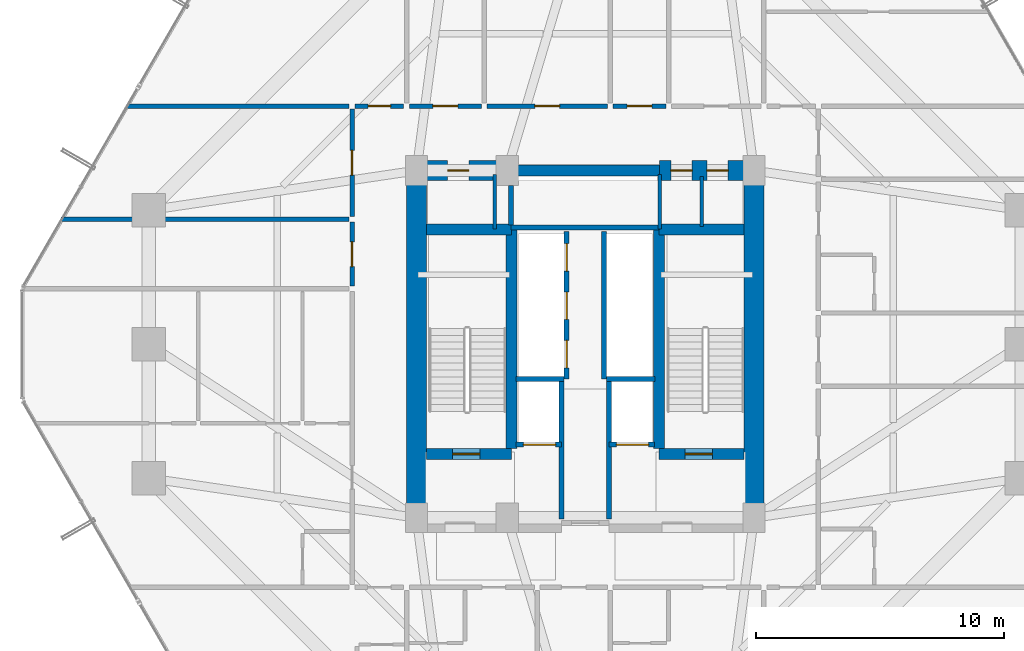
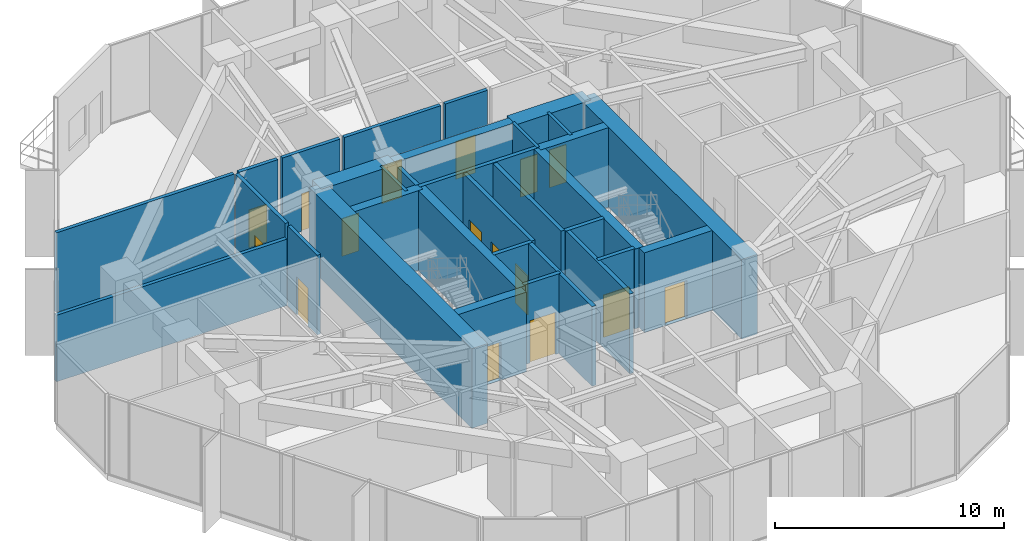
# One storey, part 34 of 39: 32 walls, 16 doors, 16 openings.
"""IFC4 building model written with IfcOpenShell, lengths in metres."""

import ifcopenshell
import ifcopenshell.guid

model = None  # the IFC model being written
_history = None  # IfcOwnerHistory: only IFC2X3 demands one
_inside = {}  # id of a spatial element -> (the spatial element, [elements in it])
_under = {}  # id of a project, library or spatial element -> (it, [spatial elements below it])
_declared = {}  # id of a project -> (the project, [libraries it declares])
_typed = {}  # id of a type object -> (the type object, [elements of that type])
_made_of = {}  # id of a material, layer set ... -> (it, [elements and type objects made of it])


def new_model(schema):
    """Start an empty IFC model of exactly this schema.

    Asked for "IFC4X3", IfcOpenShell would pick the latest addendum, in which some entities
    have other attributes; the version numbers below select the first issue.
    IFC2X3 requires an IfcOwnerHistory on every rooted entity: one is made here for all.
    """
    global model, _history
    if schema == "IFC4X3":
        model = ifcopenshell.file(schema_version=(4, 3, 0, 0))
    else:
        model = ifcopenshell.file(schema=schema)
    _inside.clear()
    _under.clear()
    _declared.clear()
    _typed.clear()
    _made_of.clear()
    _history = None
    if model.schema == "IFC2X3":
        org = make("IfcOrganization", Name="unknown")
        user = make(
            "IfcPersonAndOrganization",
            ThePerson=make("IfcPerson", FamilyName="unknown"),
            TheOrganization=org,
        )
        app = make(
            "IfcApplication",
            ApplicationDeveloper=org,
            Version="unknown",
            ApplicationFullName="unknown",
            ApplicationIdentifier="unknown",
        )
        _history = make(
            "IfcOwnerHistory",
            OwningUser=user,
            OwningApplication=app,
            ChangeAction="ADDED",
            CreationDate=0,
        )
    return model


def make(cls, **values):
    """One entity of the class cls with the attributes given. An attribute that is None is left unset."""
    return model.create_entity(
        cls, **{name: value for name, value in values.items() if value is not None}
    )


def rooted(cls, **values):
    """An entity with a GlobalId (a new one), such as an element, a storey or a relation."""
    return make(cls, GlobalId=ifcopenshell.guid.new(), OwnerHistory=_history, **values)


def si_unit(unit_type, name, prefix=None):
    """IfcSIUnit, for example si_unit("LENGTHUNIT", "METRE", prefix="MILLI")."""
    return make("IfcSIUnit", UnitType=unit_type, Prefix=prefix, Name=name)


def assignment(units):
    """IfcUnitAssignment: the units of a project."""
    return None if units is None else make("IfcUnitAssignment", Units=units)


def point(xyz):
    """IfcCartesianPoint."""
    return None if xyz is None else make("IfcCartesianPoint", Coordinates=xyz)


def direction(xyz):
    """IfcDirection."""
    return None if xyz is None else make("IfcDirection", DirectionRatios=xyz)


def frame(location, z_axis=None, x_axis=None):
    """IfcAxis2Placement3D, a coordinate frame: its origin and axes. An axis left out is left unset."""
    return make(
        "IfcAxis2Placement3D",
        Location=point(location),
        Axis=direction(z_axis),
        RefDirection=direction(x_axis),
    )


def frame_2d(location, x_axis=None):
    """IfcAxis2Placement2D, a coordinate frame in the plane: its origin and x axis."""
    return make(
        "IfcAxis2Placement2D", Location=point(location), RefDirection=direction(x_axis)
    )


def origin():
    """The frame at (0, 0, 0) with its axes left unset."""
    return frame((0.0, 0.0, 0.0))


def place(relative_to, where):
    """IfcLocalPlacement: puts the frame where relative to a parent placement (None: the world)."""
    return make(
        "IfcLocalPlacement", PlacementRelTo=relative_to, RelativePlacement=where
    )


def context(
    kind, dimensions, precision=None, world=None, true_north=None, identifier=None
):
    """IfcGeometricRepresentationContext, for example the 3D "Model" context."""
    return make(
        "IfcGeometricRepresentationContext",
        ContextIdentifier=identifier,
        ContextType=kind,
        CoordinateSpaceDimension=dimensions,
        Precision=precision,
        WorldCoordinateSystem=world,
        TrueNorth=true_north,
    )


def subcontext(parent, identifier, kind, view, scale=None):
    """IfcGeometricRepresentationSubContext, for example "Body" below "Model"."""
    return make(
        "IfcGeometricRepresentationSubContext",
        ContextIdentifier=identifier,
        ContextType=kind,
        ParentContext=parent,
        TargetScale=scale,
        TargetView=view,
    )


def project(units=None, contexts=None):
    """IfcProject with its units and contexts."""
    return rooted(
        "IfcProject",
        Name="project",
        RepresentationContexts=contexts,
        UnitsInContext=assignment(units),
    )


def spatial(cls, under=None, at=None, **own):
    """A site, building, storey or space (cls), placed at a placement, below another one or the project."""
    s = rooted(cls, ObjectPlacement=at, **own)
    if under is not None:
        _under.setdefault(under.id(), (under, []))[1].append(s)
    return s


def profile(cls, at=None, kind="AREA", **sizes):
    """A parametric profile (cls). Its sizes go by their IFC names, for example OverallWidth=200.0."""
    return make(cls, ProfileType=kind, Position=at, **sizes)


def rectangle(**sizes):
    """IfcRectangleProfileDef."""
    return profile("IfcRectangleProfileDef", **sizes)


def extrude(swept, where, along, depth):
    """IfcExtrudedAreaSolid: the profile swept, set in the frame where, extruded along a direction by depth."""
    return make(
        "IfcExtrudedAreaSolid",
        SweptArea=swept,
        Position=where,
        ExtrudedDirection=direction(along),
        Depth=depth,
    )


def shape(context_of_items, identifier, shape_type, items):
    """IfcShapeRepresentation: the items that make up one representation, for example the "Body"."""
    return make(
        "IfcShapeRepresentation",
        ContextOfItems=context_of_items,
        RepresentationIdentifier=identifier,
        RepresentationType=shape_type,
        Items=items,
    )


def source(mapping_origin, context_of_items, identifier, shape_type, items):
    """IfcRepresentationMap: a shape defined once, which mapped items show again and again."""
    return make(
        "IfcRepresentationMap",
        MappingOrigin=mapping_origin,
        MappedRepresentation=shape(context_of_items, identifier, shape_type, items),
    )


def transform(
    local_origin,
    x_axis=None,
    y_axis=None,
    z_axis=None,
    scale=None,
    scale2=None,
    scale3=None,
    uniform=True,
):
    """IfcCartesianTransformationOperator3D, or its non-uniform kind. x_axis, y_axis, z_axis: its Axis1, 2, 3."""
    if uniform:
        return make(
            "IfcCartesianTransformationOperator3D",
            Axis1=direction(x_axis),
            Axis2=direction(y_axis),
            LocalOrigin=point(local_origin),
            Scale=scale,
            Axis3=direction(z_axis),
        )
    return make(
        "IfcCartesianTransformationOperator3DnonUniform",
        Axis1=direction(x_axis),
        Axis2=direction(y_axis),
        LocalOrigin=point(local_origin),
        Scale=scale,
        Axis3=direction(z_axis),
        Scale2=scale2,
        Scale3=scale3,
    )


def mapped(mapping_source, mapping_target):
    """IfcMappedItem: shows the shape of a source again, moved by a transform."""
    return make(
        "IfcMappedItem", MappingSource=mapping_source, MappingTarget=mapping_target
    )


def material(Name=None, Category=None):
    """IfcMaterial."""
    return make("IfcMaterial", Name=Name, Category=Category)


def layer(
    of_material, thickness, ventilated=None, Name=None, Category=None, Priority=None
):
    """IfcMaterialLayer: one layer of a wall or slab, of a material (None: an air gap)."""
    return make(
        "IfcMaterialLayer",
        Material=of_material,
        LayerThickness=thickness,
        IsVentilated=ventilated,
        Name=Name,
        Category=Category,
        Priority=Priority,
    )


def layer_set(layers, Name=None):
    """IfcMaterialLayerSet."""
    return make("IfcMaterialLayerSet", MaterialLayers=layers, LayerSetName=Name)


def made_of(thing, what):
    """Note that an element or type object is made of a material, layer set ...; save() writes the relation."""
    if what is not None:
        _made_of.setdefault(what.id(), (what, []))[1].append(thing)
    return thing


def type_object(cls, material=None, **own):
    """A type object (cls), such as IfcWallType, which elements share."""
    return made_of(rooted(cls, **own), material)


def element(
    cls,
    number,
    at=None,
    inside=None,
    cuts=None,
    type_object=None,
    material=None,
    context=None,
    identifier="Body",
    shape_type=None,
    held_by="IfcProductDefinitionShape",
    body=None,
    shapes=None,
    **own,
):
    """One element of the class cls, such as IfcWall. Its Tag is "e" and its number.

    at: its placement. inside: the storey or other place that contains it. cuts: it is an
    opening in that element (IfcRelVoidsElement). A single representation is given by context,
    identifier, shape_type and body (its items); several are given by shapes. held_by: the class
    of the entity that holds the representations. save() writes the other relations.
    """
    e = rooted(cls, Tag="e%d" % number, ObjectPlacement=at, **own)
    if body is not None:
        shapes = [shape(context, identifier, shape_type, body)]
    if shapes is not None:
        e.Representation = make(held_by, Representations=shapes)
    if inside is not None:
        _inside.setdefault(inside.id(), (inside, []))[1].append(e)
    if cuts is not None:
        rooted(
            "IfcRelVoidsElement", RelatingBuildingElement=cuts, RelatedOpeningElement=e
        )
    if type_object is not None:
        _typed.setdefault(type_object.id(), (type_object, []))[1].append(e)
    return made_of(e, material)


def fill(opening, filler):
    """IfcRelFillsElement: the door or window that sits in an opening."""
    return rooted(
        "IfcRelFillsElement",
        RelatingOpeningElement=opening,
        RelatedBuildingElement=filler,
    )


def aggregate(whole, parts):
    """IfcRelAggregates: a whole, such as a stair, and the parts it consists of."""
    return rooted("IfcRelAggregates", RelatingObject=whole, RelatedObjects=parts)


def save(model, path):
    """Write the relations noted so far, then the file.

    IfcRelAggregates (storeys below a building ...), IfcRelContainedInSpatialStructure (elements
    in a storey), IfcRelDefinesByType, IfcRelAssociatesMaterial and IfcRelDeclares: one each for
    every whole, place, type object, material and project.
    """
    for whole, parts in _under.values():
        aggregate(whole, parts)
    for where, things in _inside.values():
        rooted(
            "IfcRelContainedInSpatialStructure",
            RelatedElements=things,
            RelatingStructure=where,
        )
    for kind, things in _typed.values():
        rooted("IfcRelDefinesByType", RelatedObjects=things, RelatingType=kind)
    for what, things in _made_of.values():
        rooted("IfcRelAssociatesMaterial", RelatedObjects=things, RelatingMaterial=what)
    for by, libraries in _declared.values():
        rooted("IfcRelDeclares", RelatingContext=by, RelatedDefinitions=libraries)
    model.write(path)


model = new_model("IFC4")

# Units and contexts
model_context = context("Model", 3, precision=1e-05, world=origin(), true_north=direction((0.0, 1.0)))
body_context = subcontext(model_context, "Body", "Model", "MODEL_VIEW")
ifc_project = project(units=[si_unit("LENGTHUNIT", "METRE"), si_unit("AREAUNIT", "SQUARE_METRE"), si_unit("VOLUMEUNIT", "CUBIC_METRE"), si_unit("PLANEANGLEUNIT", "RADIAN"), si_unit("MASSUNIT", "GRAM", prefix="KILO")], contexts=[model_context])

# Site, building, storey
site_placement = place(None, origin())
site = spatial("IfcSite", under=ifc_project, at=site_placement, CompositionType="ELEMENT")
building_placement = place(site_placement, origin())
building = spatial("IfcBuilding", under=site, at=building_placement, Name="Veraguas Prism Commons", CompositionType="ELEMENT")
storey_placement = place(building_placement, frame((0.0, 0.0, 22.800048828125)))
storey = spatial("IfcBuildingStorey", under=building, at=storey_placement, Name="L05", CompositionType="ELEMENT", Elevation=22.800048828125)

# Wall
ifc_material_1 = material(Name="Concrete C60/75", Category="concrete")
ifc_layer_1 = layer(ifc_material_1, 0.449951171875, Name="Core Internal Shear Wall Lower RC 450", Category="concrete")
ifc_layer_set_1 = layer_set([ifc_layer_1], Name="Concrete C60/75")
wall_type_1 = type_object("IfcWallType", Name="Core Internal Shear Wall Lower RC 450", PredefinedType="SHEAR", material=ifc_layer_set_1)
wall_1_placement = place(storey_placement, frame((21.0, 31.0, 0.0), z_axis=(0.0, 0.0, 1.0), x_axis=(1.0, 0.0, 0.0)))
element("IfcWall", 1, at=wall_1_placement, inside=storey, type_object=wall_type_1, Name="High-Rise Lift Bank Front Shear Wall L05", PredefinedType="SHEAR", context=body_context, shape_type="SweptSolid", body=[
    extrude(rectangle(XDim=6.0, YDim=0.449951171875, at=frame_2d((3.0, 0.0))), origin(), (0.0, 0.0, 1.0), 4.25),
])

# Wall, opening, door
wall_2_placement = place(storey_placement, frame((17.60009765625, 19.574951171875, 0.0), z_axis=(0.0, 0.0, 1.0), x_axis=(1.0, 0.0, 0.0)))
wall_2 = element("IfcWall", 2, at=wall_2_placement, inside=storey, type_object=wall_type_1, Name="Stair ST-01 South Shear Wall L05", PredefinedType="SHEAR", context=body_context, shape_type="SweptSolid", body=[
    extrude(rectangle(XDim=3.4248046875, YDim=0.449951171875, at=frame_2d((1.71240234375, 0.0))), origin(), (0.0, 0.0, 1.0), 4.25),
])
opening_1_placement = place(wall_2_placement, frame((1.050048828125, 0.0, 0.0)))
opening_1 = element("IfcOpeningElement", 3, at=opening_1_placement, cuts=wall_2, Name="Opening DR-05", PredefinedType="OPENING", context=body_context, shape_type="SweptSolid", body=[
    extrude(rectangle(XDim=1.10009765625, YDim=2.030029296875, at=frame_2d((0.550048828125, 1.01513671875))), frame((0.0, 0.23486328125, 0.0), z_axis=(0.0, -1.0, 0.0), x_axis=(1.0, 0.0, 0.0)), (0.0, 0.0, 1.0), 0.469970703125),
])
ifc_material_2 = material(Name="Steel fire-rated door assembly", Category="steel")
door_type_1 = type_object("IfcDoorType", Name="Protected Stair and Refuge Fire Door 1100x2030", OperationType="NOTDEFINED", PredefinedType="DOOR", material=ifc_material_2)
shared_shape_1 = source(origin(), body_context, "Body", "SweptSolid", [
    extrude(rectangle(XDim=1.10009765625, YDim=2.030029296875, at=frame_2d((0.550048828125, 1.01513671875))), frame((0.0, 0.02490234375, 0.0), z_axis=(0.0, -1.0, 0.0), x_axis=(1.0, 0.0, 0.0)), (0.0, 0.0, 1.0), 0.050048828125),
])
door_1_placement = place(opening_1_placement, origin())
door_1 = element("IfcDoor", 4, at=door_1_placement, inside=storey, type_object=door_type_1, Name="Stair ST-01 Enclosure Door L05", OperationType="SINGLE_SWING_RIGHT", OverallHeight=2.030029296875, OverallWidth=1.10009765625, PredefinedType="DOOR", context=body_context, shape_type="MappedRepresentation", body=[
    mapped(shared_shape_1, transform((0.0, 0.0, 0.0), scale=1.0)),
])
fill(opening_1, door_1)

wall_3_placement = place(storey_placement, frame((26.97509765625, 19.574951171875, 0.0), z_axis=(0.0, 0.0, 1.0), x_axis=(1.0, 0.0, 0.0)))
wall_3 = element("IfcWall", 5, at=wall_3_placement, inside=storey, type_object=wall_type_1, Name="Stair ST-02 South Shear Wall L05", PredefinedType="SHEAR", context=body_context, shape_type="SweptSolid", body=[
    extrude(rectangle(XDim=3.4248046875, YDim=0.449951171875, at=frame_2d((1.71240234375, 0.0))), origin(), (0.0, 0.0, 1.0), 4.25),
])
opening_2_placement = place(wall_3_placement, frame((1.050048828125, 0.0, 0.0)))
opening_2 = element("IfcOpeningElement", 6, at=opening_2_placement, cuts=wall_3, Name="Opening DR-05", PredefinedType="OPENING", context=body_context, shape_type="SweptSolid", body=[
    extrude(rectangle(XDim=1.10009765625, YDim=2.030029296875, at=frame_2d((0.550048828125, 1.01513671875))), frame((0.0, 0.23486328125, 0.0), z_axis=(0.0, -1.0, 0.0), x_axis=(1.0, 0.0, 0.0)), (0.0, 0.0, 1.0), 0.469970703125),
])
door_2_placement = place(opening_2_placement, origin())
door_2 = element("IfcDoor", 7, at=door_2_placement, inside=storey, type_object=door_type_1, Name="Stair ST-02 Enclosure Door L05", OperationType="SINGLE_SWING_LEFT", OverallHeight=2.030029296875, OverallWidth=1.10009765625, PredefinedType="DOOR", context=body_context, shape_type="MappedRepresentation", body=[
    mapped(shared_shape_1, transform((0.0, 0.0, 0.0), scale=1.0)),
])
fill(opening_2, door_2)

# Walls
for number, where, z_axis, x_axis, name in (
    (8, (21.02490234375, 19.800048828125, 0.0), (0.0, 0.0, 1.0), (0.0, 1.0, 0.0), "Stair ST-01 Inner Shear Wall L05"),
    (9, (26.97509765625, 19.800048828125, 0.0), (0.0, 0.0, 1.0), (0.0, 1.0, 0.0), "Stair ST-02 Inner Shear Wall L05"),
):
    element("IfcWall", number, at=place(storey_placement, frame(where, z_axis=z_axis, x_axis=x_axis)), inside=storey, type_object=wall_type_1, Name=name, PredefinedType="SHEAR", context=body_context, shape_type="SweptSolid", body=[
        extrude(rectangle(XDim=8.824951171875, YDim=0.449951171875, at=frame_2d((4.41259765625, 0.0))), origin(), (0.0, 0.0, 1.0), 4.25),
    ])
for number, where, z_axis, x_axis, name in (
    (10, (17.60009765625, 28.625, 0.0), (0.0, 0.0, 1.0), (1.0, 0.0, 0.0), "Stair ST-01 North Shear Wall L05"),
    (11, (26.97509765625, 28.625, 0.0), (0.0, 0.0, 1.0), (1.0, 0.0, 0.0), "Stair ST-02 North Shear Wall L05"),
):
    element("IfcWall", number, at=place(storey_placement, frame(where, z_axis=z_axis, x_axis=x_axis)), inside=storey, type_object=wall_type_1, Name=name, PredefinedType="SHEAR", context=body_context, shape_type="SweptSolid", body=[
        extrude(rectangle(XDim=3.4248046875, YDim=0.449951171875, at=frame_2d((1.71240234375, 0.0))), origin(), (0.0, 0.0, 1.0), 4.25),
    ])
ifc_layer_2 = layer(ifc_material_1, 0.800048828125, Name="Core Outer Shear Wall Lower RC 800", Category="concrete")
ifc_layer_set_2 = layer_set([ifc_layer_2], Name="Concrete C60/75")
wall_type_2 = type_object("IfcWallType", Name="Core Outer Shear Wall Lower RC 800", PredefinedType="SHEAR", material=ifc_layer_set_2)
for number, where, z_axis, x_axis, name in (
    (12, (17.199951171875, 16.800048828125, 0.0), (0.0, 0.0, 1.0), (0.0, 1.0, 0.0), "Central Core West Shear Wall L05"),
    (13, (30.800048828125, 16.800048828125, 0.0), (0.0, 0.0, 1.0), (0.0, 1.0, 0.0), "Central Core East Shear Wall L05"),
):
    element("IfcWall", number, at=place(storey_placement, frame(where, z_axis=z_axis, x_axis=x_axis)), inside=storey, type_object=wall_type_2, Name=name, PredefinedType="SHEAR", context=body_context, shape_type="SweptSolid", body=[
        extrude(rectangle(XDim=14.199951171875, YDim=0.800048828125, at=frame_2d((7.10009765625, 0.0))), origin(), (0.0, 0.0, 1.0), 4.25),
    ])

# Wall, opening, door
wall_4_placement = place(storey_placement, frame((17.199951171875, 31.0, 0.0), z_axis=(0.0, 0.0, 1.0), x_axis=(1.0, 0.0, 0.0)))
wall_4 = element("IfcWall", 14, at=wall_4_placement, inside=storey, type_object=wall_type_2, Name="Central Core North-West Shear Wall L05", PredefinedType="SHEAR", context=body_context, shape_type="SweptSolid", body=[
    extrude(rectangle(XDim=3.800048828125, YDim=0.800048828125, at=frame_2d((1.89990234375, 0.0))), origin(), (0.0, 0.0, 1.0), 4.25),
])
opening_3_placement = place(wall_4_placement, frame((1.25, 0.0, 0.0)))
opening_3 = element("IfcOpeningElement", 15, at=opening_3_placement, cuts=wall_4, Name="Opening DR-12", PredefinedType="OPENING", context=body_context, shape_type="SweptSolid", body=[
    extrude(rectangle(XDim=0.860107421875, YDim=2.010009765625, at=frame_2d((0.43017578125, 1.0048828125))), frame((0.0, 0.409912109375, 0.0), z_axis=(0.0, -1.0, 0.0), x_axis=(1.0, 0.0, 0.0)), (0.0, 0.0, 1.0), 0.820068359375),
])
door_type_2 = type_object("IfcDoorType", Name="Core WC Fire Door 860x2010", OperationType="NOTDEFINED", PredefinedType="DOOR", material=ifc_material_2)
shared_shape_2 = source(origin(), body_context, "Body", "SweptSolid", [
    extrude(rectangle(XDim=0.860107421875, YDim=2.010009765625, at=frame_2d((0.43017578125, 1.0048828125))), frame((0.0, 0.02490234375, 0.0), z_axis=(0.0, -1.0, 0.0), x_axis=(1.0, 0.0, 0.0)), (0.0, 0.0, 1.0), 0.050048828125),
])
door_3_placement = place(opening_3_placement, origin())
door_3 = element("IfcDoor", 16, at=door_3_placement, inside=storey, type_object=door_type_2, Name="Core NW Service Door L05", OperationType="SINGLE_SWING_LEFT", OverallHeight=2.010009765625, OverallWidth=0.860107421875, PredefinedType="DOOR", context=body_context, shape_type="MappedRepresentation", body=[
    mapped(shared_shape_2, transform((0.0, 0.0, 0.0), scale=1.0)),
])
fill(opening_3, door_3)

# Wall, openings, doors
wall_5_placement = place(storey_placement, frame((27.0, 31.0, 0.0), z_axis=(0.0, 0.0, 1.0), x_axis=(1.0, 0.0, 0.0)))
wall_5 = element("IfcWall", 17, at=wall_5_placement, inside=storey, type_object=wall_type_2, Name="Central Core North-East Shear Wall L05", PredefinedType="SHEAR", context=body_context, shape_type="SweptSolid", body=[
    extrude(rectangle(XDim=3.800048828125, YDim=0.800048828125, at=frame_2d((1.89990234375, 0.0))), origin(), (0.0, 0.0, 1.0), 4.25),
])
opening_4_placement = place(wall_5_placement, frame((0.449951171875, 0.0, 0.0)))
opening_4 = element("IfcOpeningElement", 18, at=opening_4_placement, cuts=wall_5, Name="Opening DR-12", PredefinedType="OPENING", context=body_context, shape_type="SweptSolid", body=[
    extrude(rectangle(XDim=0.860107421875, YDim=2.010009765625, at=frame_2d((0.43017578125, 1.0048828125))), frame((0.0, 0.409912109375, 0.0), z_axis=(0.0, -1.0, 0.0), x_axis=(1.0, 0.0, 0.0)), (0.0, 0.0, 1.0), 0.820068359375),
])
opening_5_placement = place(wall_5_placement, frame((1.89990234375, 0.0, 0.0)))
opening_5 = element("IfcOpeningElement", 19, at=opening_5_placement, cuts=wall_5, Name="Opening DR-12", PredefinedType="OPENING", context=body_context, shape_type="SweptSolid", body=[
    extrude(rectangle(XDim=0.860107421875, YDim=2.010009765625, at=frame_2d((0.43017578125, 1.0048828125))), frame((0.0, 0.409912109375, 0.0), z_axis=(0.0, -1.0, 0.0), x_axis=(1.0, 0.0, 0.0)), (0.0, 0.0, 1.0), 0.820068359375),
])
door_4_placement = place(opening_4_placement, origin())
door_4 = element("IfcDoor", 20, at=door_4_placement, inside=storey, type_object=door_type_2, Name="Core NE Room A Door L05", OperationType="SINGLE_SWING_RIGHT", OverallHeight=2.010009765625, OverallWidth=0.860107421875, PredefinedType="DOOR", context=body_context, shape_type="MappedRepresentation", body=[
    mapped(shared_shape_2, transform((0.0, 0.0, 0.0), scale=1.0)),
])
fill(opening_4, door_4)
door_5_placement = place(opening_5_placement, origin())
door_5 = element("IfcDoor", 21, at=door_5_placement, inside=storey, type_object=door_type_2, Name="Core NE Room B Door L05", OperationType="SINGLE_SWING_LEFT", OverallHeight=2.010009765625, OverallWidth=0.860107421875, PredefinedType="DOOR", context=body_context, shape_type="MappedRepresentation", body=[
    mapped(shared_shape_2, transform((0.0, 0.0, 0.0), scale=1.0)),
])
fill(opening_5, door_5)

# Wall, opening, door
ifc_material_3 = material(Name="Autoclaved aerated masonry block 10 MPa", Category="masonry")
ifc_layer_3 = layer(ifc_material_3, 0.179931640625, Name="Corridor and Inter-Tenancy Partition 180", Category="masonry")
ifc_layer_set_3 = layer_set([ifc_layer_3], Name="Autoclaved aerated masonry block 10 MPa")
wall_type_3 = type_object("IfcWallType", Name="Corridor and Inter-Tenancy Partition 180", PredefinedType="PARTITIONING", material=ifc_layer_set_3)
wall_6_placement = place(storey_placement, frame((16.909912109375, 33.60009765625, 0.0), z_axis=(0.0, 0.0, 1.0), x_axis=(1.0, 0.0, 0.0)))
wall_6 = element("IfcWall", 22, at=wall_6_placement, inside=storey, type_object=wall_type_3, Name="WL-L05-PT014", PredefinedType="PARTITIONING", context=body_context, shape_type="SweptSolid", body=[
    extrude(rectangle(XDim=2.899169921875, YDim=0.179931640625, at=frame_2d((1.44970703125, 0.0))), origin(), (0.0, 0.0, 1.0), 4.25),
])
opening_6_placement = place(wall_6_placement, frame((0.949462890625, 0.0, 0.0)))
opening_6 = element("IfcOpeningElement", 23, at=opening_6_placement, cuts=wall_6, Name="Opening DR-13", PredefinedType="OPENING", context=body_context, shape_type="SweptSolid", body=[
    extrude(rectangle(XDim=1.0, YDim=2.010009765625, at=frame_2d((0.5, 1.0048828125))), frame((0.0, 0.099853515625, 0.0), z_axis=(0.0, -1.0, 0.0), x_axis=(1.0, 0.0, 0.0)), (0.0, 0.0, 1.0), 0.199951171875),
])
door_type_3 = type_object("IfcDoorType", Name="Core Accessible WC and Clinic Fire Door 1000x2010", OperationType="NOTDEFINED", PredefinedType="DOOR", material=ifc_material_2)
shared_shape_3 = source(origin(), body_context, "Body", "SweptSolid", [
    extrude(rectangle(XDim=1.0, YDim=2.010009765625, at=frame_2d((0.5, 1.0048828125))), frame((0.0, 0.02490234375, 0.0), z_axis=(0.0, -1.0, 0.0), x_axis=(1.0, 0.0, 0.0)), (0.0, 0.0, 1.0), 0.050048828125),
])
door_6_placement = place(opening_6_placement, origin())
door_6 = element("IfcDoor", 24, at=door_6_placement, inside=storey, type_object=door_type_3, Name="Residents Study Room Door", OperationType="SINGLE_SWING_LEFT", OverallHeight=2.010009765625, OverallWidth=1.0, PredefinedType="DOOR", context=body_context, shape_type="MappedRepresentation", body=[
    mapped(shared_shape_3, transform((0.0, 0.0, 0.0), scale=1.0)),
])
fill(opening_6, door_6)

wall_7_placement = place(storey_placement, frame((20.029052734375, 33.60009765625, 0.0), z_axis=(0.0, 0.0, 1.0), x_axis=(1.0, 0.0, 0.0)))
wall_7 = element("IfcWall", 25, at=wall_7_placement, inside=storey, type_object=wall_type_3, Name="WL-L05-PT015", PredefinedType="PARTITIONING", context=body_context, shape_type="SweptSolid", body=[
    extrude(rectangle(XDim=4.868896484375, YDim=0.179931640625, at=frame_2d((2.4345703125, 0.0))), origin(), (0.0, 0.0, 1.0), 4.25),
])
opening_7_placement = place(wall_7_placement, frame((1.9345703125, 0.0, 0.0)))
opening_7 = element("IfcOpeningElement", 26, at=opening_7_placement, cuts=wall_7, Name="Opening DR-13", PredefinedType="OPENING", context=body_context, shape_type="SweptSolid", body=[
    extrude(rectangle(XDim=1.0, YDim=2.010009765625, at=frame_2d((0.5, 1.0048828125))), frame((0.0, 0.099853515625, 0.0), z_axis=(0.0, -1.0, 0.0), x_axis=(1.0, 0.0, 0.0)), (0.0, 0.0, 1.0), 0.199951171875),
])
door_7_placement = place(opening_7_placement, origin())
door_7 = element("IfcDoor", 27, at=door_7_placement, inside=storey, type_object=door_type_3, Name="Co-op Store N Door", OperationType="SINGLE_SWING_RIGHT", OverallHeight=2.010009765625, OverallWidth=1.0, PredefinedType="DOOR", context=body_context, shape_type="MappedRepresentation", body=[
    mapped(shared_shape_3, transform((0.0, 0.0, 0.0), scale=1.0)),
])
fill(opening_7, door_7)

wall_8_placement = place(storey_placement, frame((25.117919921875, 33.60009765625, 0.0), z_axis=(0.0, 0.0, 1.0), x_axis=(1.0, 0.0, 0.0)))
wall_8 = element("IfcWall", 28, at=wall_8_placement, inside=storey, type_object=wall_type_3, Name="WL-L05-PT018", PredefinedType="PARTITIONING", context=body_context, shape_type="SweptSolid", body=[
    extrude(rectangle(XDim=2.133056640625, YDim=0.179931640625, at=frame_2d((1.06640625, 0.0))), origin(), (0.0, 0.0, 1.0), 4.25),
])
opening_8_placement = place(wall_8_placement, frame((0.56640625, 0.0, 0.0)))
opening_8 = element("IfcOpeningElement", 29, at=opening_8_placement, cuts=wall_8, Name="Opening DR-13", PredefinedType="OPENING", context=body_context, shape_type="SweptSolid", body=[
    extrude(rectangle(XDim=1.0, YDim=2.010009765625, at=frame_2d((0.5, 1.0048828125))), frame((0.0, 0.099853515625, 0.0), z_axis=(0.0, -1.0, 0.0), x_axis=(1.0, 0.0, 0.0)), (0.0, 0.0, 1.0), 0.199951171875),
])
door_8_placement = place(opening_8_placement, origin())
door_8 = element("IfcDoor", 30, at=door_8_placement, inside=storey, type_object=door_type_3, Name="Shared Laundry Room Door", OperationType="SINGLE_SWING_LEFT", OverallHeight=2.010009765625, OverallWidth=1.0, PredefinedType="DOOR", context=body_context, shape_type="MappedRepresentation", body=[
    mapped(shared_shape_3, transform((0.0, 0.0, 0.0), scale=1.0)),
])
fill(opening_8, door_8)

# Wall
wall_9_placement = place(storey_placement, frame((14.47998046875, 33.60009765625, 0.0), z_axis=(0.0, 0.0, 1.0), x_axis=(-1.0, 0.0, 0.0)))
element("IfcWall", 31, at=wall_9_placement, inside=storey, type_object=wall_type_3, Name="WL-L05-PT022", PredefinedType="PARTITIONING", context=body_context, shape_type="SweptSolid", body=[
    extrude(rectangle(XDim=8.97216796875, YDim=0.179931640625, at=frame_2d((4.486083984375, 0.0))), origin(), (0.0, 0.0, 1.0), 4.25),
])

# Wall, opening, door
wall_10_placement = place(storey_placement, frame((14.60009765625, 26.337890625, 0.0), z_axis=(0.0, 0.0, 1.0), x_axis=(0.0, 1.0, 0.0)))
wall_10 = element("IfcWall", 32, at=wall_10_placement, inside=storey, type_object=wall_type_3, Name="WL-L05-PT032", PredefinedType="PARTITIONING", context=body_context, shape_type="SweptSolid", body=[
    extrude(rectangle(XDim=2.5810546875, YDim=0.179931640625, at=frame_2d((1.29052734375, 0.0))), origin(), (0.0, 0.0, 1.0), 4.25),
])
opening_9_placement = place(wall_10_placement, frame((0.79052734375, 0.0, 0.0)))
opening_9 = element("IfcOpeningElement", 33, at=opening_9_placement, cuts=wall_10, Name="Opening DR-13", PredefinedType="OPENING", context=body_context, shape_type="SweptSolid", body=[
    extrude(rectangle(XDim=1.0, YDim=2.010009765625, at=frame_2d((0.5, 1.0048828125))), frame((0.0, 0.099853515625, 0.0), z_axis=(0.0, -1.0, 0.0), x_axis=(1.0, 0.0, 0.0)), (0.0, 0.0, 1.0), 0.199951171875),
])
door_9_placement = place(opening_9_placement, origin())
door_9 = element("IfcDoor", 34, at=door_9_placement, inside=storey, type_object=door_type_3, Name="Residents Study Room Door", OperationType="SINGLE_SWING_RIGHT", OverallHeight=2.010009765625, OverallWidth=1.0, PredefinedType="DOOR", context=body_context, shape_type="MappedRepresentation", body=[
    mapped(shared_shape_3, transform((0.0, 0.0, 0.0), scale=1.0)),
])
fill(opening_9, door_9)

wall_11_placement = place(storey_placement, frame((14.60009765625, 29.138916015625, 0.0), z_axis=(0.0, 0.0, 1.0), x_axis=(0.0, 1.0, 0.0)))
wall_11 = element("IfcWall", 35, at=wall_11_placement, inside=storey, type_object=wall_type_3, Name="WL-L05-PT033", PredefinedType="PARTITIONING", context=body_context, shape_type="SweptSolid", body=[
    extrude(rectangle(XDim=4.35107421875, YDim=0.179931640625, at=frame_2d((2.175537109375, 0.0))), origin(), (0.0, 0.0, 1.0), 4.25),
])
opening_10_placement = place(wall_11_placement, frame((1.675537109375, 0.0, 0.0)))
opening_10 = element("IfcOpeningElement", 36, at=opening_10_placement, cuts=wall_11, Name="Opening DR-13", PredefinedType="OPENING", context=body_context, shape_type="SweptSolid", body=[
    extrude(rectangle(XDim=1.0, YDim=2.010009765625, at=frame_2d((0.5, 1.0048828125))), frame((0.0, 0.099853515625, 0.0), z_axis=(0.0, -1.0, 0.0), x_axis=(1.0, 0.0, 0.0)), (0.0, 0.0, 1.0), 0.199951171875),
])
door_10_placement = place(opening_10_placement, origin())
door_10 = element("IfcDoor", 37, at=door_10_placement, inside=storey, type_object=door_type_3, Name="Co-op Store W Door", OperationType="SINGLE_SWING_LEFT", OverallHeight=2.010009765625, OverallWidth=1.0, PredefinedType="DOOR", context=body_context, shape_type="MappedRepresentation", body=[
    mapped(shared_shape_3, transform((0.0, 0.0, 0.0), scale=1.0)),
])
fill(opening_10, door_10)

# Wall
wall_12_placement = place(storey_placement, frame((14.47998046875, 29.029052734375, 0.0), z_axis=(0.0, 0.0, 1.0), x_axis=(-1.0, 0.0, 0.0)))
element("IfcWall", 38, at=wall_12_placement, inside=storey, type_object=wall_type_3, Name="WL-L05-PT034", PredefinedType="PARTITIONING", context=body_context, shape_type="SweptSolid", body=[
    extrude(rectangle(XDim=11.611083984375, YDim=0.179931640625, at=frame_2d((5.8056640625, 0.0))), origin(), (0.0, 0.0, 1.0), 3.549072265625),
])

# Wall, opening, door
wall_13_placement = place(storey_placement, frame((14.719970703125, 33.60009765625, 0.0), z_axis=(0.0, 0.0, 1.0), x_axis=(1.0, 0.0, 0.0)))
wall_13 = element("IfcWall", 39, at=wall_13_placement, inside=storey, type_object=wall_type_3, Name="WL-L05-PT056", PredefinedType="PARTITIONING", context=body_context, shape_type="SweptSolid", body=[
    extrude(rectangle(XDim=1.9599609375, YDim=0.179931640625, at=frame_2d((0.97998046875, 0.0))), origin(), (0.0, 0.0, 1.0), 4.25),
])
opening_11_placement = place(wall_13_placement, frame((0.530029296875, 0.0, 0.0)))
opening_11 = element("IfcOpeningElement", 40, at=opening_11_placement, cuts=wall_13, Name="Opening DR-14", PredefinedType="OPENING", context=body_context, shape_type="SweptSolid", body=[
    extrude(rectangle(XDim=0.89990234375, YDim=2.010009765625, at=frame_2d((0.449951171875, 1.0048828125))), frame((0.0, 0.099853515625, 0.0), z_axis=(0.0, -1.0, 0.0), x_axis=(1.0, 0.0, 0.0)), (0.0, 0.0, 1.0), 0.199951171875),
])
door_type_4 = type_object("IfcDoorType", Name="Core Service Room Fire Door 900x2010", OperationType="NOTDEFINED", PredefinedType="DOOR", material=ifc_material_2)
shared_shape_4 = source(origin(), body_context, "Body", "SweptSolid", [
    extrude(rectangle(XDim=0.89990234375, YDim=2.010009765625, at=frame_2d((0.449951171875, 1.0048828125))), frame((0.0, 0.02490234375, 0.0), z_axis=(0.0, -1.0, 0.0), x_axis=(1.0, 0.0, 0.0)), (0.0, 0.0, 1.0), 0.050048828125),
])
door_11_placement = place(opening_11_placement, origin())
door_11 = element("IfcDoor", 41, at=door_11_placement, inside=storey, type_object=door_type_4, Name="Residents Corner Study Room NW Door", OperationType="SINGLE_SWING_RIGHT", OverallHeight=2.010009765625, OverallWidth=0.89990234375, PredefinedType="DOOR", context=body_context, shape_type="MappedRepresentation", body=[
    mapped(shared_shape_4, transform((0.0, 0.0, 0.0), scale=1.0)),
])
fill(opening_11, door_11)

ifc_layer_4 = layer(ifc_material_3, 0.199951171875, Name="Rated Shaft and Lobby Block Wall 200", Category="masonry")
ifc_layer_set_4 = layer_set([ifc_layer_4], Name="Autoclaved aerated masonry block 10 MPa")
wall_type_4 = type_object("IfcWallType", Name="Rated Shaft and Lobby Block Wall 200", PredefinedType="SOLIDWALL", material=ifc_layer_set_4)
wall_14_placement = place(storey_placement, frame((21.199951171875, 19.949951171875, 0.0), z_axis=(0.0, 0.0, 1.0), x_axis=(1.0, 0.0, 0.0)))
wall_14 = element("IfcWall", 42, at=wall_14_placement, inside=storey, type_object=wall_type_4, Name="Firefighting Lift FFL-1 Front Wall L05", PredefinedType="SOLIDWALL", context=body_context, shape_type="SweptSolid", body=[
    extrude(rectangle(XDim=1.85009765625, YDim=0.199951171875, at=frame_2d((0.925048828125, 0.0))), origin(), (0.0, 0.0, 1.0), 4.25),
])
opening_12_placement = place(wall_14_placement, frame((0.300048828125, 0.0, 0.0)))
opening_12 = element("IfcOpeningElement", 43, at=opening_12_placement, cuts=wall_14, Name="Opening LD-02", PredefinedType="OPENING", context=body_context, shape_type="SweptSolid", body=[
    extrude(rectangle(XDim=1.300048828125, YDim=2.25, at=frame_2d((0.64990234375, 1.125))), frame((0.0, 0.10986328125, 0.0), z_axis=(0.0, -1.0, 0.0), x_axis=(1.0, 0.0, 0.0)), (0.0, 0.0, 1.0), 0.219970703125),
])
ifc_material_4 = material(Name="Stainless steel AISI 316", Category="steel")
door_type_5 = type_object("IfcDoorType", Name="Firefighting Lift Sliding Landing Door 1300x2250", OperationType="NOTDEFINED", PredefinedType="DOOR", material=ifc_material_4)
shared_shape_5 = source(origin(), body_context, "Body", "SweptSolid", [
    extrude(rectangle(XDim=1.300048828125, YDim=2.25, at=frame_2d((0.64990234375, 1.125))), frame((0.0, 0.02490234375, 0.0), z_axis=(0.0, -1.0, 0.0), x_axis=(1.0, 0.0, 0.0)), (0.0, 0.0, 1.0), 0.050048828125),
])
door_12_placement = place(opening_12_placement, origin())
door_12 = element("IfcDoor", 44, at=door_12_placement, inside=storey, type_object=door_type_5, Name="Firefighting Lift FFL-1 Landing Door L05", OperationType="SLIDING_TO_LEFT", OverallHeight=2.25, OverallWidth=1.300048828125, PredefinedType="DOOR", context=body_context, shape_type="MappedRepresentation", body=[
    mapped(shared_shape_5, transform((0.0, 0.0, 0.0), scale=1.0)),
])
fill(opening_12, door_12)

wall_15_placement = place(storey_placement, frame((24.949951171875, 19.949951171875, 0.0), z_axis=(0.0, 0.0, 1.0), x_axis=(1.0, 0.0, 0.0)))
wall_15 = element("IfcWall", 45, at=wall_15_placement, inside=storey, type_object=wall_type_4, Name="Firefighting Lift FFL-2 Front Wall L05", PredefinedType="SOLIDWALL", context=body_context, shape_type="SweptSolid", body=[
    extrude(rectangle(XDim=1.85009765625, YDim=0.199951171875, at=frame_2d((0.925048828125, 0.0))), origin(), (0.0, 0.0, 1.0), 4.25),
])
opening_13_placement = place(wall_15_placement, frame((0.300048828125, 0.0, 0.0)))
opening_13 = element("IfcOpeningElement", 46, at=opening_13_placement, cuts=wall_15, Name="Opening LD-02", PredefinedType="OPENING", context=body_context, shape_type="SweptSolid", body=[
    extrude(rectangle(XDim=1.300048828125, YDim=2.25, at=frame_2d((0.64990234375, 1.125))), frame((0.0, 0.10986328125, 0.0), z_axis=(0.0, -1.0, 0.0), x_axis=(1.0, 0.0, 0.0)), (0.0, 0.0, 1.0), 0.219970703125),
])
door_13_placement = place(opening_13_placement, origin())
door_13 = element("IfcDoor", 47, at=door_13_placement, inside=storey, type_object=door_type_5, Name="Firefighting Lift FFL-2 Front Wall L05", OperationType="SLIDING_TO_LEFT", OverallHeight=2.25, OverallWidth=1.300048828125, PredefinedType="DOOR", context=body_context, shape_type="MappedRepresentation", body=[
    mapped(shared_shape_5, transform((0.0, 0.0, 0.0), scale=1.0)),
])
fill(opening_13, door_13)

# Walls
for number, where, z_axis, x_axis, name in (
    (48, (23.050048828125, 16.949951171875, 0.0), (0.0, 0.0, 1.0), (0.0, 1.0, 0.0), "West FF Lobby Divider Wall L05"),
    (49, (24.949951171875, 16.949951171875, 0.0), (0.0, 0.0, 1.0), (0.0, 1.0, 0.0), "East FF Lobby Divider Wall L05"),
):
    element("IfcWall", number, at=place(storey_placement, frame(where, z_axis=z_axis, x_axis=x_axis)), inside=storey, type_object=wall_type_4, Name=name, PredefinedType="SOLIDWALL", context=body_context, shape_type="SweptSolid", body=[
        extrude(rectangle(XDim=5.60009765625, YDim=0.199951171875, at=frame_2d((2.800048828125, 0.0))), origin(), (0.0, 0.0, 1.0), 4.25),
    ])
for number, where, z_axis, x_axis, name in (
    (50, (21.199951171875, 22.60009765625, 0.0), (0.0, 0.0, 1.0), (1.0, 0.0, 0.0), "Firefighting Lift FFL-1 Rear Wall L05"),
    (51, (24.85009765625, 22.60009765625, 0.0), (0.0, 0.0, 1.0), (1.0, 0.0, 0.0), "Firefighting Lift FFL-2 Rear Wall L05"),
):
    element("IfcWall", number, at=place(storey_placement, frame(where, z_axis=z_axis, x_axis=x_axis)), inside=storey, type_object=wall_type_4, Name=name, PredefinedType="SOLIDWALL", context=body_context, shape_type="SweptSolid", body=[
        extrude(rectangle(XDim=1.949951171875, YDim=0.199951171875, at=frame_2d((0.97509765625, 0.0))), origin(), (0.0, 0.0, 1.0), 4.25),
    ])
wall_16_placement = place(storey_placement, frame((21.0, 28.699951171875, 0.0), z_axis=(0.0, 0.0, 1.0), x_axis=(1.0, 0.0, 0.0)))
element("IfcWall", 52, at=wall_16_placement, inside=storey, type_object=wall_type_4, Name="High-Rise Lift Bank Rear Shaft Wall L05", PredefinedType="SOLIDWALL", context=body_context, shape_type="SweptSolid", body=[
    extrude(rectangle(XDim=6.0, YDim=0.199951171875, at=frame_2d((3.0, 0.0))), origin(), (0.0, 0.0, 1.0), 4.25),
])
wall_17_placement = place(storey_placement, frame((21.0, 28.800048828125, 0.0), z_axis=(0.0, 0.0, 1.0), x_axis=(0.0, 1.0, 0.0)))
element("IfcWall", 53, at=wall_17_placement, inside=storey, type_object=wall_type_4, Name="High-Rise Lift Bank West Shaft Wall L05", PredefinedType="SOLIDWALL", context=body_context, shape_type="SweptSolid", body=[
    extrude(rectangle(XDim=1.599853515625, YDim=0.199951171875, at=frame_2d((0.7998046875, 0.0))), origin(), (0.0, 0.0, 1.0), 4.25),
])

# Wall, openings, doors
wall_18_placement = place(storey_placement, frame((23.25, 22.60009765625, 0.0), z_axis=(0.0, 0.0, 1.0), x_axis=(0.0, 1.0, 0.0)))
wall_18 = element("IfcWall", 54, at=wall_18_placement, inside=storey, type_object=wall_type_4, Name="Low-Rise Lift Bank Front Wall L05", PredefinedType="SOLIDWALL", context=body_context, shape_type="SweptSolid", body=[
    extrude(rectangle(XDim=5.949951171875, YDim=0.199951171875, at=frame_2d((2.97509765625, 0.0))), origin(), (0.0, 0.0, 1.0), 4.25),
])
opening_14_placement = place(wall_18_placement, frame((0.449951171875, 0.0, 0.0)))
opening_14 = element("IfcOpeningElement", 55, at=opening_14_placement, cuts=wall_18, Name="Opening LD-01", PredefinedType="OPENING", context=body_context, shape_type="SweptSolid", body=[
    extrude(rectangle(XDim=1.10009765625, YDim=2.080078125, at=frame_2d((0.550048828125, 1.0400390625))), frame((0.0, 0.10986328125, 0.0), z_axis=(0.0, -1.0, 0.0), x_axis=(1.0, 0.0, 0.0)), (0.0, 0.0, 1.0), 0.219970703125),
])
opening_15_placement = place(wall_18_placement, frame((2.39990234375, 0.0, 0.0)))
opening_15 = element("IfcOpeningElement", 56, at=opening_15_placement, cuts=wall_18, Name="Opening LD-01", PredefinedType="OPENING", context=body_context, shape_type="SweptSolid", body=[
    extrude(rectangle(XDim=1.10009765625, YDim=2.080078125, at=frame_2d((0.550048828125, 1.0400390625))), frame((0.0, 0.10986328125, 0.0), z_axis=(0.0, -1.0, 0.0), x_axis=(1.0, 0.0, 0.0)), (0.0, 0.0, 1.0), 0.219970703125),
])
opening_16_placement = place(wall_18_placement, frame((4.35009765625, 0.0, 0.0)))
opening_16 = element("IfcOpeningElement", 57, at=opening_16_placement, cuts=wall_18, Name="Opening LD-01", PredefinedType="OPENING", context=body_context, shape_type="SweptSolid", body=[
    extrude(rectangle(XDim=1.10009765625, YDim=2.080078125, at=frame_2d((0.550048828125, 1.0400390625))), frame((0.0, 0.10986328125, 0.0), z_axis=(0.0, -1.0, 0.0), x_axis=(1.0, 0.0, 0.0)), (0.0, 0.0, 1.0), 0.219970703125),
])
door_type_6 = type_object("IfcDoorType", Name="Passenger Lift Sliding Landing Door 1100x2080", OperationType="NOTDEFINED", PredefinedType="DOOR", material=ifc_material_4)
shared_shape_6 = source(origin(), body_context, "Body", "SweptSolid", [
    extrude(rectangle(XDim=1.10009765625, YDim=2.080078125, at=frame_2d((0.550048828125, 1.0400390625))), frame((0.0, 0.02490234375, 0.0), z_axis=(0.0, -1.0, 0.0), x_axis=(1.0, 0.0, 0.0)), (0.0, 0.0, 1.0), 0.050048828125),
])
door_14_placement = place(opening_14_placement, origin())
door_14 = element("IfcDoor", 58, at=door_14_placement, inside=storey, type_object=door_type_6, Name="Sliding Landing Door PL-L1 L05", OperationType="SLIDING_TO_LEFT", OverallHeight=2.080078125, OverallWidth=1.10009765625, PredefinedType="DOOR", context=body_context, shape_type="MappedRepresentation", body=[
    mapped(shared_shape_6, transform((0.0, 0.0, 0.0), scale=1.0)),
])
fill(opening_14, door_14)
door_15_placement = place(opening_15_placement, origin())
door_15 = element("IfcDoor", 59, at=door_15_placement, inside=storey, type_object=door_type_6, Name="Sliding Landing Door PL-L2 L05", OperationType="SLIDING_TO_LEFT", OverallHeight=2.080078125, OverallWidth=1.10009765625, PredefinedType="DOOR", context=body_context, shape_type="MappedRepresentation", body=[
    mapped(shared_shape_6, transform((0.0, 0.0, 0.0), scale=1.0)),
])
fill(opening_15, door_15)
door_16_placement = place(opening_16_placement, origin())
door_16 = element("IfcDoor", 60, at=door_16_placement, inside=storey, type_object=door_type_6, Name="Sliding Landing Door PL-L3 L05", OperationType="SLIDING_TO_LEFT", OverallHeight=2.080078125, OverallWidth=1.10009765625, PredefinedType="DOOR", context=body_context, shape_type="MappedRepresentation", body=[
    mapped(shared_shape_6, transform((0.0, 0.0, 0.0), scale=1.0)),
])
fill(opening_16, door_16)

# Walls
wall_19_placement = place(storey_placement, frame((24.75, 22.60009765625, 0.0), z_axis=(0.0, 0.0, 1.0), x_axis=(0.0, 1.0, 0.0)))
element("IfcWall", 61, at=wall_19_placement, inside=storey, type_object=wall_type_4, Name="Mid-Rise Lift Bank Front Wall L05", PredefinedType="SOLIDWALL", context=body_context, shape_type="SweptSolid", body=[
    extrude(rectangle(XDim=5.949951171875, YDim=0.199951171875, at=frame_2d((2.97509765625, 0.0))), origin(), (0.0, 0.0, 1.0), 4.25),
])
ifc_material_5 = material(Name="Lightweight acoustic gypsum board")
ifc_layer_5 = layer(ifc_material_5, 0.14990234375, Name="Wet Room and Clinic Acoustic Partition 150")
ifc_layer_set_5 = layer_set([ifc_layer_5], Name="Lightweight acoustic gypsum board")
wall_type_5 = type_object("IfcWallType", Name="Wet Room and Clinic Acoustic Partition 150", PredefinedType="PARTITIONING", material=ifc_layer_set_5)
for number, where, z_axis, x_axis, name in (
    (62, (20.35009765625, 28.64990234375, 0.0), (0.0, 0.0, 1.0), (0.0, 1.0, 0.0), "Core NW Service Inner Wall L05"),
    (63, (27.0, 28.64990234375, 0.0), (0.0, 0.0, 1.0), (0.0, 1.0, 0.0), "Core NE Service Inner Wall L05"),
):
    element("IfcWall", number, at=place(storey_placement, frame(where, z_axis=z_axis, x_axis=x_axis)), inside=storey, type_object=wall_type_5, Name=name, PredefinedType="PARTITIONING", context=body_context, shape_type="SweptSolid", body=[
        extrude(rectangle(XDim=2.2001953125, YDim=0.14990234375, at=frame_2d((1.10009765625, 0.0))), origin(), (0.0, 0.0, 1.0), 4.25),
    ])
wall_20_placement = place(storey_placement, frame((28.699951171875, 28.75, 0.0), z_axis=(0.0, 0.0, 1.0), x_axis=(0.0, 1.0, 0.0)))
element("IfcWall", 64, at=wall_20_placement, inside=storey, type_object=wall_type_5, Name="WL-L05-CSVD1", PredefinedType="PARTITIONING", context=body_context, shape_type="SweptSolid", body=[
    extrude(rectangle(XDim=2.0, YDim=0.14990234375, at=frame_2d((1.0, 0.0))), origin(), (0.0, 0.0, 1.0), 4.25),
])

save(model, "model.ifc")
